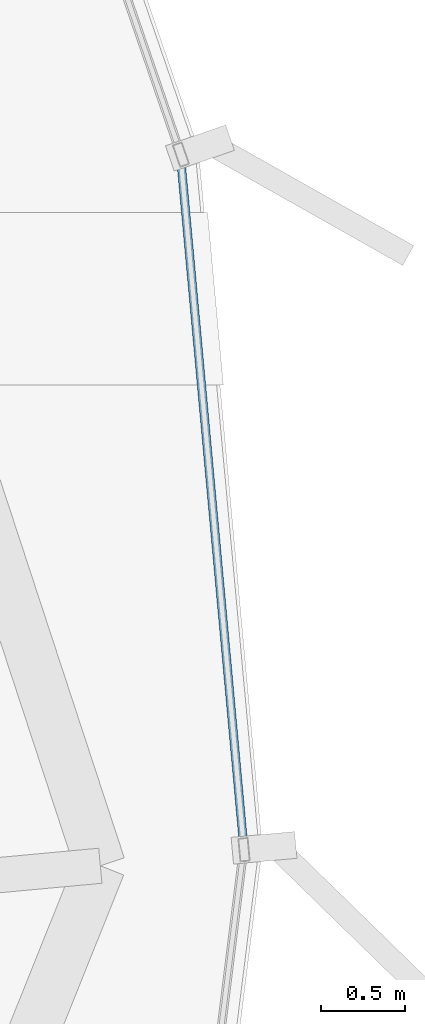
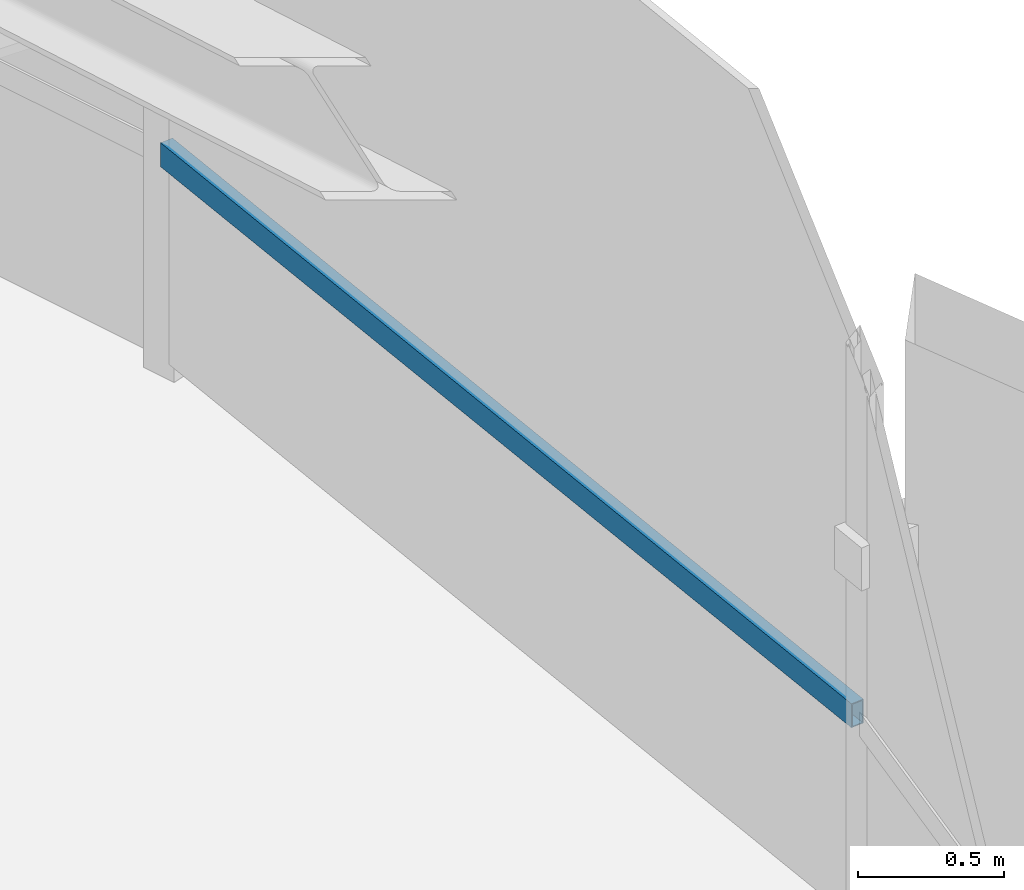
# One storey, part 17 of 35: 1 member, 1 element without a shape of its own.
"""IFC4 building model written with IfcOpenShell, lengths in metres."""

from ifc_helpers import new_model, si_unit, direction, frame, origin, origin_2d, place, context, subcontext, project, spatial, hollow_rectangle, extrude, source, transform, mapped, material, layer, layer_set, material_profile, profile_set, type_object, element, aggregate, save


model = new_model("IFC4")

# Units and contexts
model_context = context("Model", 3, precision=1e-05, world=origin(), true_north=direction((0.0, 1.0)))
body_context = subcontext(model_context, "Body", "Model", "MODEL_VIEW")
ifc_project = project(units=[si_unit("LENGTHUNIT", "METRE"), si_unit("AREAUNIT", "SQUARE_METRE"), si_unit("VOLUMEUNIT", "CUBIC_METRE"), si_unit("PLANEANGLEUNIT", "RADIAN"), si_unit("MASSUNIT", "GRAM", prefix="KILO"), si_unit("THERMODYNAMICTEMPERATUREUNIT", "KELVIN")], contexts=[model_context])

# Site, building, storey
site_placement = place(None, origin())
site = spatial("IfcSite", under=ifc_project, at=site_placement, CompositionType="ELEMENT")
building_placement = place(site_placement, origin())
building = spatial("IfcBuilding", under=site, at=building_placement, Name="Kethvar Cultural Tower", CompositionType="ELEMENT")
storey_placement = place(building_placement, frame((0.0, 0.0, 139.449951171875)))
storey = spatial("IfcBuildingStorey", under=building, at=storey_placement, Name="L35", CompositionType="ELEMENT", Elevation=139.449951171875)

# Curtain wall, member
ifc_material = material(Name="Aluminium 6063-T6", Category="aluminium")
ifc_layer = layer(ifc_material, 0.179931640625, Name="Aluminium 6063-T6", Category="aluminium")
ifc_layer_set = layer_set([ifc_layer], Name="Aluminium 6063-T6 (180 mm)")
curtain_wall_type = type_object("IfcCurtainWallType", Name="CW-SYS-04-Z34", PredefinedType="NOTDEFINED", material=ifc_layer_set)
curtain_wall_placement = place(storey_placement, origin())
curtain_wall = element("IfcCurtainWall", 1, at=curtain_wall_placement, inside=storey, type_object=curtain_wall_type, Name="L35 Curtain Wall Run 06", PredefinedType="NOTDEFINED")
ifc_material_profile = material_profile(ifc_material, hollow_rectangle(XDim=0.050048828125, YDim=0.10009765625, WallThickness=0.00390625, at=origin_2d()), Name="Aluminium 6063-T6 — RHS100x50x4")
ifc_profile_set = profile_set([ifc_material_profile], Name="Aluminium 6063-T6 — RHS100x50x4")
member_type = type_object("IfcMemberType", Name="CW-SYS-04-Z34-TRN", PredefinedType="USERDEFINED", material=ifc_profile_set)
shared_shape = source(origin(), body_context, "Body", "SweptSolid", [
    extrude(hollow_rectangle(XDim=0.050048828125, YDim=0.10009765625, WallThickness=0.00390625, at=origin_2d()), origin(), (0.0, 0.0, 1.0), 4.10107421875),
])
member_placement = place(storey_placement, frame((75.6416015625, 33.16748046875, 0.949951171875), z_axis=(-0.091201300525, 0.995832477268, 0.0), x_axis=(-0.995832477268, -0.091201300525, 0.0)))
member = element("IfcMember", 2, at=member_placement, type_object=member_type, Name="CW-L35-R06 Transom 5", ObjectType="TRANSOM", PredefinedType="USERDEFINED", context=body_context, shape_type="MappedRepresentation", body=[
    mapped(shared_shape, transform((0.0, 0.0, 0.0), scale=1.0)),
])
aggregate(curtain_wall, [member])

save(model, "model.ifc")
